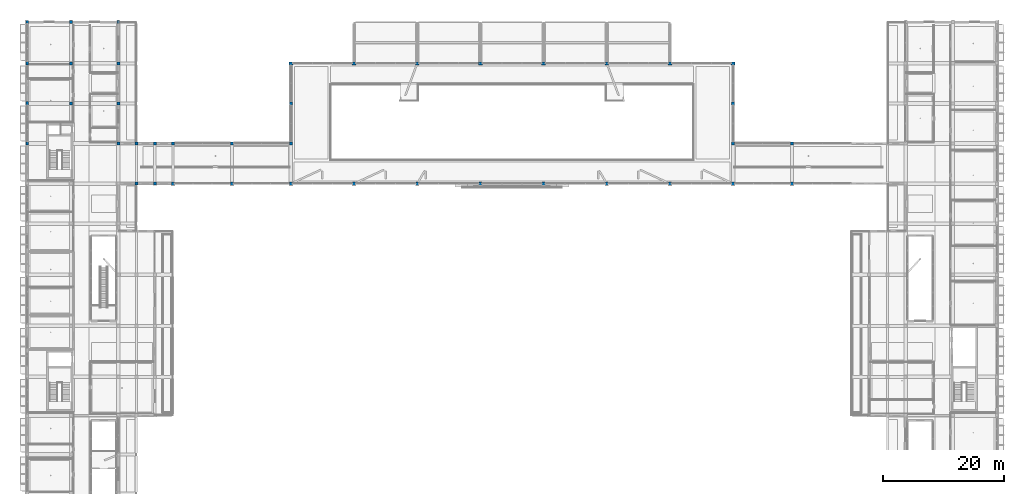
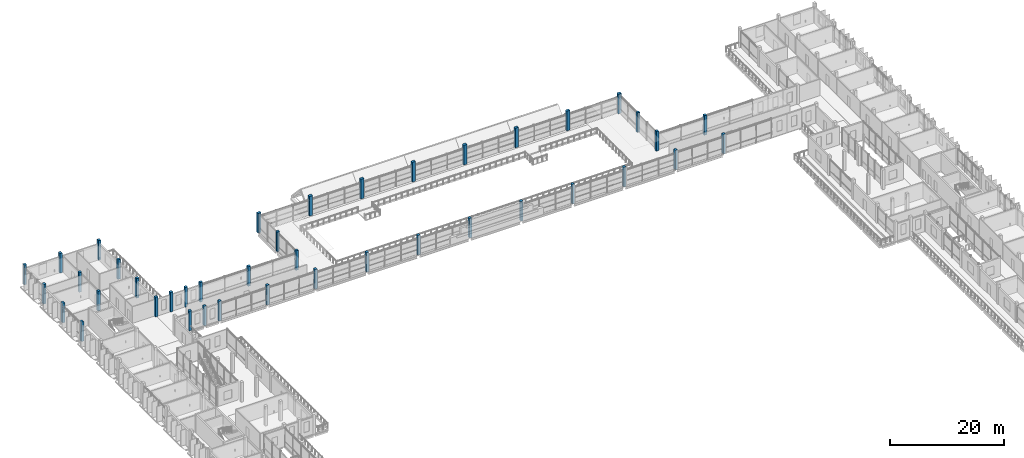
# One storey, part 3 of 85: 41 columns.
"""IFC4 building model written with IfcOpenShell, lengths in metres."""

from ifc_helpers import new_model, si_unit, derived_unit, direction, frame, origin, origin_2d, place, context, subcontext, project, spatial, rectangle, extrude, material, material_profile, profile_set, type_object, element, save


model = new_model("IFC4")

# Units and contexts
model_context = context("Model", 3, precision=1e-05, world=origin(), true_north=direction((0.0, 1.0)))
body_context = subcontext(model_context, "Body", "Model", "MODEL_VIEW")
ifc_project = project(units=[si_unit("LENGTHUNIT", "METRE"), si_unit("AREAUNIT", "SQUARE_METRE"), si_unit("VOLUMEUNIT", "CUBIC_METRE"), si_unit("PLANEANGLEUNIT", "RADIAN"), si_unit("MASSUNIT", "GRAM", prefix="KILO"), derived_unit("THERMALTRANSMITTANCEUNIT", [(si_unit("POWERUNIT", "WATT"), 1), (si_unit("LENGTHUNIT", "METRE"), -2), (si_unit("THERMODYNAMICTEMPERATUREUNIT", "KELVIN"), -1)])], contexts=[model_context])

# Site, building, storey
site_placement = place(None, origin())
site = spatial("IfcSite", under=ifc_project, at=site_placement, CompositionType="ELEMENT")
building_placement = place(site_placement, origin())
building = spatial("IfcBuilding", under=site, at=building_placement, Name="Braskholm Square Health Centre", CompositionType="ELEMENT")
storey_placement = place(building_placement, frame((0.0, 0.0, 9.300048828125)))
storey = spatial("IfcBuildingStorey", under=building, at=storey_placement, Name="L03", CompositionType="ELEMENT", Elevation=9.300048828125)

# Columns
ifc_material_1 = material(Name="Concrete C40/50 (f'c = 40 MPa)", Category="concrete")
ifc_material_profile_1 = material_profile(ifc_material_1, rectangle(XDim=0.64990234375, YDim=0.5, at=origin_2d()), Name="RC-650X500")
ifc_profile_set_1 = profile_set([ifc_material_profile_1], Name="Concrete C40/50 (f'c = 40 MPa)")
column_type_1 = type_object("IfcColumnType", Name="ColHallPier650x500", PredefinedType="COLUMN", material=ifc_profile_set_1)
for number, where, z_axis, x_axis, name in (
    (1, (47.60009765625, 107.0, 0.0), (0.0, 0.0, 1.0), (1.0, 0.0, 0.0), "Column 8/R L03"),
    (2, (58.0, 107.0, 0.0), (0.0, 0.0, 1.0), (1.0, 0.0, 0.0), "Column 9/R L03"),
    (3, (68.39990234375, 107.0, 0.0), (0.0, 0.0, 1.0), (1.0, 0.0, 0.0), "Column 10/R L03"),
    (4, (78.800048828125, 107.0, 0.0), (0.0, 0.0, 1.0), (1.0, 0.0, 0.0), "Column 11/R L03"),
    (5, (89.199951171875, 107.0, 0.0), (0.0, 0.0, 1.0), (1.0, 0.0, 0.0), "Column 12/R L03"),
    (6, (99.60009765625, 107.0, 0.0), (0.0, 0.0, 1.0), (1.0, 0.0, 0.0), "Column 13/R L03"),
    (7, (110.0, 107.0, 0.0), (0.0, 0.0, 1.0), (1.0, 0.0, 0.0), "Column 14/R L03"),
    (8, (120.39990234375, 107.0, 0.0), (0.0, 0.0, 1.0), (1.0, 0.0, 0.0), "Column 15/R L03"),
):
    element("IfcColumn", number, at=place(storey_placement, frame(where, z_axis=z_axis, x_axis=x_axis)), inside=storey, type_object=column_type_1, Name=name, PredefinedType="COLUMN", context=body_context, shape_type="SweptSolid", body=[
        extrude(rectangle(XDim=0.64990234375, YDim=0.5, at=origin_2d()), origin(), (0.0, 0.0, 1.0), 4.199951171875),
    ])
ifc_material_profile_2 = material_profile(ifc_material_1, rectangle(XDim=0.5, YDim=0.5, at=origin_2d()), Name="RC-500X500")
ifc_profile_set_2 = profile_set([ifc_material_profile_2], Name="Concrete C40/50 (f'c = 40 MPa)")
column_type_2 = type_object("IfcColumnType", Name="ColInteriorUpper500", PredefinedType="COLUMN", material=ifc_profile_set_2)
for number, where, z_axis, x_axis, name in (
    (9, (11.39990234375, 100.39990234375, 0.0), (0.0, 0.0, 1.0), (1.0, 0.0, 0.0), "Column 2/Q L03"),
    (10, (11.39990234375, 107.0, 0.0), (0.0, 0.0, 1.0), (1.0, 0.0, 0.0), "Column 2/R L03"),
    (11, (19.199951171875, 93.800048828125, 0.0), (0.0, 0.0, 1.0), (1.0, 0.0, 0.0), "Column 3/P L03"),
    (12, (19.199951171875, 100.39990234375, 0.0), (0.0, 0.0, 1.0), (1.0, 0.0, 0.0), "Column 3/Q L03"),
    (13, (19.199951171875, 107.0, 0.0), (0.0, 0.0, 1.0), (1.0, 0.0, 0.0), "Column 3/R L03"),
    (14, (22.199951171875, 87.199951171875, 0.0), (0.0, 0.0, 1.0), (1.0, 0.0, 0.0), "Column 4/N L03"),
    (15, (22.199951171875, 93.800048828125, 0.0), (0.0, 0.0, 1.0), (1.0, 0.0, 0.0), "Column 4/P L03"),
    (16, (25.199951171875, 87.199951171875, 0.0), (0.0, 0.0, 1.0), (1.0, 0.0, 0.0), "Column 5/N L03"),
    (17, (25.199951171875, 93.800048828125, 0.0), (0.0, 0.0, 1.0), (1.0, 0.0, 0.0), "Column 5/P L03"),
    (18, (28.199951171875, 93.800048828125, 0.0), (0.0, 0.0, 1.0), (1.0, 0.0, 0.0), "Column 6/P L03"),
    (19, (37.89990234375, 93.800048828125, 0.0), (0.0, 0.0, 1.0), (1.0, 0.0, 0.0), "Column 7/P L03"),
    (20, (47.60009765625, 93.800048828125, 0.0), (0.0, 0.0, 1.0), (1.0, 0.0, 0.0), "Column 8/P L03"),
    (21, (47.60009765625, 100.39990234375, 0.0), (0.0, 0.0, 1.0), (1.0, 0.0, 0.0), "Column 8/Q L03"),
    (22, (120.39990234375, 93.800048828125, 0.0), (0.0, 0.0, 1.0), (1.0, 0.0, 0.0), "Column 15/P L03"),
    (23, (120.39990234375, 100.39990234375, 0.0), (0.0, 0.0, 1.0), (1.0, 0.0, 0.0), "Column 15/Q L03"),
    (24, (130.10009765625, 93.800048828125, 0.0), (0.0, 0.0, 1.0), (1.0, 0.0, 0.0), "Column 16/P L03"),
):
    element("IfcColumn", number, at=place(storey_placement, frame(where, z_axis=z_axis, x_axis=x_axis)), inside=storey, type_object=column_type_2, Name=name, PredefinedType="COLUMN", context=body_context, shape_type="SweptSolid", body=[
        extrude(rectangle(XDim=0.5, YDim=0.5, at=origin_2d()), origin(), (0.0, 0.0, 1.0), 4.199951171875),
    ])
ifc_material_2 = material(Name="Precast concrete C40/50 architectural white", Category="concrete")
ifc_material_profile_3 = material_profile(ifc_material_2, rectangle(XDim=0.4599609375, YDim=0.56005859375, at=origin_2d()), Name="RC-460X560")
ifc_profile_set_3 = profile_set([ifc_material_profile_3], Name="Precast concrete C40/50 architectural white")
column_type_3 = type_object("IfcColumnType", Name="ColPrecastFrame460x560", PredefinedType="COLUMN", material=ifc_profile_set_3)
for number, where, z_axis, x_axis, name in (
    (25, (4.199951171875, 93.800048828125, 0.0), (0.0, 0.0, 1.0), (1.0, 0.0, 0.0), "Column 1/P L03"),
    (26, (4.199951171875, 100.39990234375, 0.0), (0.0, 0.0, 1.0), (1.0, 0.0, 0.0), "Column 1/Q L03"),
    (27, (4.199951171875, 107.0, 0.0), (0.0, 0.0, 1.0), (1.0, 0.0, 0.0), "Column 1/R L03"),
    (28, (4.199951171875, 113.800048828125, 0.0), (0.0, 0.0, 1.0), (1.0, 0.0, 0.0), "Column 1/S L03"),
    (29, (11.39990234375, 113.800048828125, 0.0), (0.0, 0.0, 1.0), (1.0, 0.0, 0.0), "Column 2/S L03"),
    (30, (19.199951171875, 113.800048828125, 0.0), (0.0, 0.0, 1.0), (1.0, 0.0, 0.0), "Column 3/S L03"),
    (31, (28.199951171875, 87.199951171875, 0.0), (0.0, 0.0, 1.0), (1.0, 0.0, 0.0), "Column 6/N L03"),
    (32, (37.89990234375, 87.199951171875, 0.0), (0.0, 0.0, 1.0), (1.0, 0.0, 0.0), "Column 7/N L03"),
    (33, (47.60009765625, 87.199951171875, 0.0), (0.0, 0.0, 1.0), (1.0, 0.0, 0.0), "Column 8/N L03"),
    (34, (58.0, 87.199951171875, 0.0), (0.0, 0.0, 1.0), (1.0, 0.0, 0.0), "Column 9/N L03"),
    (35, (68.39990234375, 87.199951171875, 0.0), (0.0, 0.0, 1.0), (1.0, 0.0, 0.0), "Column 10/N L03"),
    (36, (78.800048828125, 87.199951171875, 0.0), (0.0, 0.0, 1.0), (1.0, 0.0, 0.0), "Column 11/N L03"),
    (37, (89.199951171875, 87.199951171875, 0.0), (0.0, 0.0, 1.0), (1.0, 0.0, 0.0), "Column 12/N L03"),
    (38, (99.60009765625, 87.199951171875, 0.0), (0.0, 0.0, 1.0), (1.0, 0.0, 0.0), "Column 13/N L03"),
    (39, (110.0, 87.199951171875, 0.0), (0.0, 0.0, 1.0), (1.0, 0.0, 0.0), "Column 14/N L03"),
    (40, (120.39990234375, 87.199951171875, 0.0), (0.0, 0.0, 1.0), (1.0, 0.0, 0.0), "Column 15/N L03"),
    (41, (130.10009765625, 87.199951171875, 0.0), (0.0, 0.0, 1.0), (1.0, 0.0, 0.0), "Column 16/N L03"),
):
    element("IfcColumn", number, at=place(storey_placement, frame(where, z_axis=z_axis, x_axis=x_axis)), inside=storey, type_object=column_type_3, Name=name, PredefinedType="COLUMN", context=body_context, shape_type="SweptSolid", body=[
        extrude(rectangle(XDim=0.4599609375, YDim=0.56005859375, at=origin_2d()), origin(), (0.0, 0.0, 1.0), 4.199951171875),
    ])

save(model, "model.ifc")
